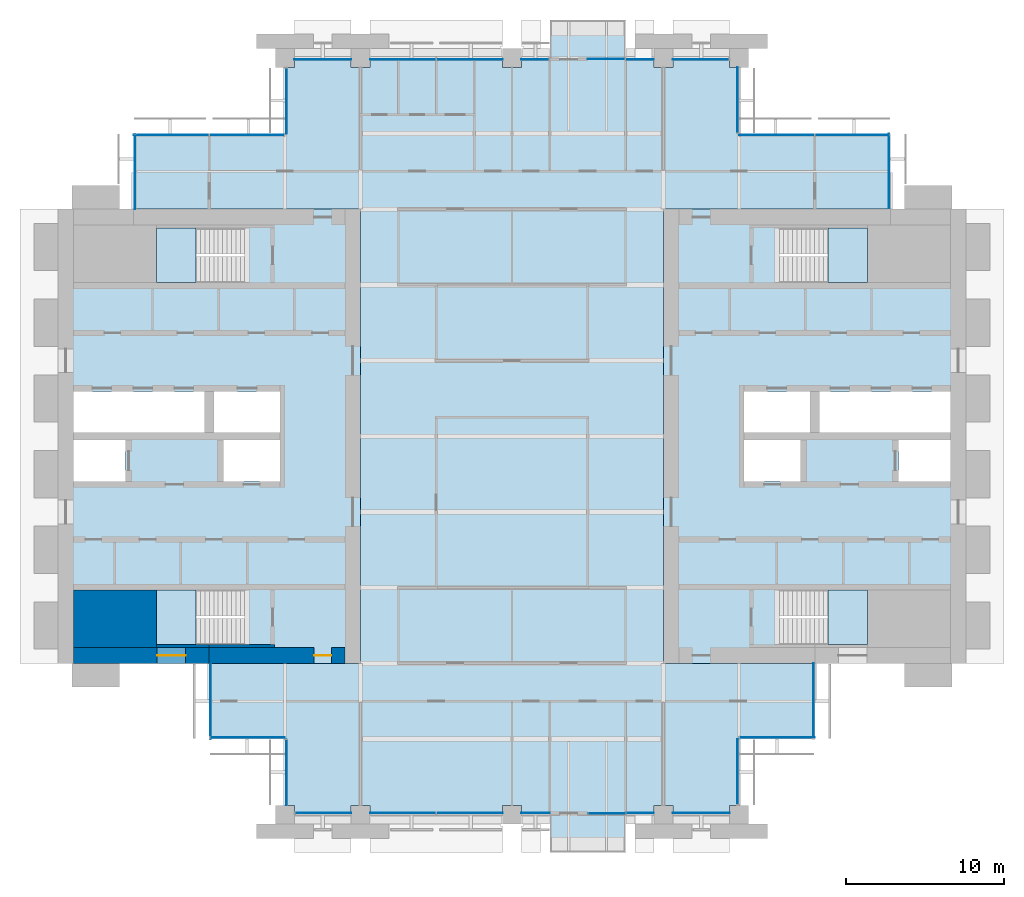
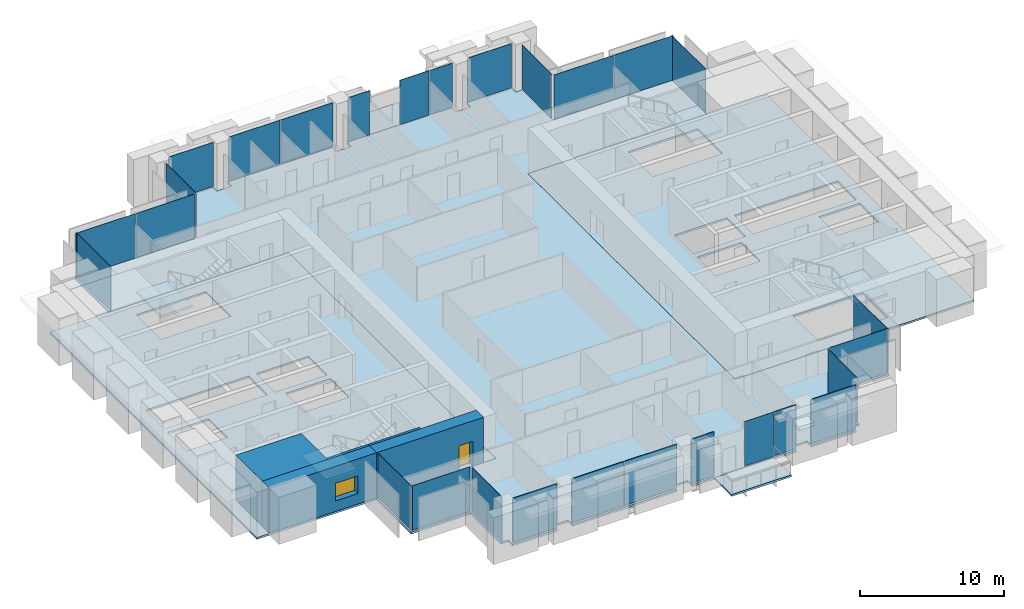
# One storey, part 8 of 15: 28 plates, 9 slabs, 5 walls, 1 door, 1 window, 2 openings, 22 elements without a shape of their own.
"""IFC4 building model written with IfcOpenShell, lengths in metres."""

from ifc_helpers import new_model, si_unit, direction, frame, frame_2d, origin, origin_2d, place, context, subcontext, project, spatial, polyline, rectangle, outline, extrude, material, layer, layer_set, type_object, element, fill, aggregate, save


model = new_model("IFC4")

# Units and contexts
model_context = context("Model", 3, precision=1e-05, world=origin(), true_north=direction((0.0, 1.0)))
body_context = subcontext(model_context, "Body", "Model", "MODEL_VIEW")
ifc_project = project(units=[si_unit("LENGTHUNIT", "METRE"), si_unit("AREAUNIT", "SQUARE_METRE"), si_unit("VOLUMEUNIT", "CUBIC_METRE"), si_unit("PLANEANGLEUNIT", "RADIAN"), si_unit("MASSUNIT", "GRAM", prefix="KILO")], contexts=[model_context])

# Site, building, storey
site_placement = place(None, origin())
site = spatial("IfcSite", under=ifc_project, at=site_placement, CompositionType="ELEMENT")
building_placement = place(site_placement, origin())
building = spatial("IfcBuilding", under=site, at=building_placement, Name="Baori Bourse Tower", CompositionType="ELEMENT")
storey_placement = place(building_placement, frame((0.0, 0.0, 140.10009765625)))
storey = spatial("IfcBuildingStorey", under=building, at=storey_placement, Name="L30", CompositionType="ELEMENT", Elevation=140.10009765625)

# Slabs
ifc_material_1 = material(Name="Concrete f'c 40 MPa", Category="concrete")
ifc_layer_1 = layer(ifc_material_1, 0.159912109375)
ifc_layer_set_1 = layer_set([ifc_layer_1], Name="BL2 Balcony slab 160")
slab_type_1 = type_object("IfcSlabType", Name="BL2 Balcony slab 160", PredefinedType="FLOOR", material=ifc_layer_set_1)
slab_1_placement = place(storey_placement, frame((0.0, 0.0, -0.16015625)))
element("IfcSlab", 1, at=slab_1_placement, inside=storey, type_object=slab_type_1, Name="Balcony slab L30 S", PredefinedType="FLOOR", context=body_context, shape_type="SweptSolid", body=[
    extrude(outline(polyline([(31.199951171875, 0.0), (31.199951171875, -2.39990234375), (36.0, -2.39990234375), (36.0, 0.0), (31.199951171875, 0.0)])), origin(), (0.0, 0.0, 1.0), 0.16015625),
])
slab_2_placement = place(storey_placement, frame((0.0, 0.0, -0.16015625)))
element("IfcSlab", 2, at=slab_2_placement, inside=storey, type_object=slab_type_1, Name="Balcony slab L30 N", PredefinedType="FLOOR", context=body_context, shape_type="SweptSolid", body=[
    extrude(outline(polyline([(31.199951171875, 48.0), (36.0, 48.0), (36.0, 50.39990234375), (31.199951171875, 50.39990234375), (31.199951171875, 48.0)])), origin(), (0.0, 0.0, 1.0), 0.16015625),
])

# Curtain wall, plates
ifc_material_2 = material(Name="Pale anodised aluminium", Category="aluminium")
curtain_wall_type_1 = type_object("IfcCurtainWallType", Name="CW1 Curtain wall", PredefinedType="NOTDEFINED", material=ifc_material_2)
curtain_wall_1_placement = place(storey_placement, origin())
curtain_wall_1 = element("IfcCurtainWall", 3, at=curtain_wall_1_placement, inside=storey, type_object=curtain_wall_type_1, Name="Curtain wall CW1 L30 4", PredefinedType="NOTDEFINED")
ifc_material_3 = material(Name="Clear glass", Category="glass")
ifc_layer_2 = layer(ifc_material_3, 0.033935546875)
ifc_layer_set_2 = layer_set([ifc_layer_2], Name="CW1 Curtain wall panel")
plate_type_1 = type_object("IfcPlateType", Name="CW1 Curtain wall panel", PredefinedType="CURTAIN_PANEL", material=ifc_layer_set_2)
plate_1_placement = place(storey_placement, frame((40.77001953125, 47.89990234375, 0.080078125), z_axis=(0.0, 0.0, 1.0), x_axis=(-1.0, 0.0, 0.0)))
plate_1 = element("IfcPlate", 4, at=plate_1_placement, type_object=plate_type_1, Name="Curtain wall CW1 panel", PredefinedType="CURTAIN_PANEL", context=body_context, shape_type="SweptSolid", body=[
    extrude(rectangle(XDim=3.5400390625, YDim=0.033935546875, at=origin_2d()), origin(), (0.0, 0.0, 1.0), 3.760009765625),
])
plate_2_placement = place(storey_placement, frame((36.89990234375, 47.89990234375, 0.080078125), z_axis=(0.0, 0.0, 1.0), x_axis=(-1.0, 0.0, 0.0)))
plate_2 = element("IfcPlate", 5, at=plate_2_placement, type_object=plate_type_1, Name="Curtain wall CW1 panel", PredefinedType="CURTAIN_PANEL", context=body_context, shape_type="SweptSolid", body=[
    extrude(rectangle(XDim=1.800048828125, YDim=0.033935546875, at=origin_2d()), origin(), (0.0, 0.0, 1.0), 3.760009765625),
])
aggregate(curtain_wall_1, [plate_1, plate_2])

curtain_wall_2_placement = place(storey_placement, origin())
curtain_wall_2 = element("IfcCurtainWall", 6, at=curtain_wall_2_placement, inside=storey, type_object=curtain_wall_type_1, Name="Curtain wall CW1 L30 6", PredefinedType="NOTDEFINED")
plate_3_placement = place(storey_placement, frame((30.27001953125, 47.89990234375, 0.080078125), z_axis=(0.0, 0.0, 1.0), x_axis=(-1.0, 0.0, 0.0)))
plate_3 = element("IfcPlate", 7, at=plate_3_placement, type_object=plate_type_1, Name="Curtain wall CW1 panel", PredefinedType="CURTAIN_PANEL", context=body_context, shape_type="SweptSolid", body=[
    extrude(rectangle(XDim=1.739990234375, YDim=0.033935546875, at=origin_2d()), origin(), (0.0, 0.0, 1.0), 3.760009765625),
])
plate_4_placement = place(storey_placement, frame((26.114990234375, 47.89990234375, 0.080078125), z_axis=(0.0, 0.0, 1.0), x_axis=(-1.0, 0.0, 0.0)))
plate_4 = element("IfcPlate", 8, at=plate_4_placement, type_object=plate_type_1, Name="Curtain wall CW1 panel", PredefinedType="CURTAIN_PANEL", context=body_context, shape_type="SweptSolid", body=[
    extrude(rectangle(XDim=4.169921875, YDim=0.033935546875, at=origin_2d()), origin(), (0.0, 0.0, 1.0), 3.760009765625),
])
plate_5_placement = place(storey_placement, frame((21.885009765625, 47.89990234375, 0.080078125), z_axis=(0.0, 0.0, 1.0), x_axis=(-1.0, 0.0, 0.0)))
plate_5 = element("IfcPlate", 9, at=plate_5_placement, type_object=plate_type_1, Name="Curtain wall CW1 panel", PredefinedType="CURTAIN_PANEL", context=body_context, shape_type="SweptSolid", body=[
    extrude(rectangle(XDim=4.169921875, YDim=0.033935546875, at=origin_2d()), origin(), (0.0, 0.0, 1.0), 3.760009765625),
])
plate_6_placement = place(storey_placement, frame((16.800048828125, 47.89990234375, 0.080078125), z_axis=(0.0, 0.0, 1.0), x_axis=(-1.0, 0.0, 0.0)))
plate_6 = element("IfcPlate", 10, at=plate_6_placement, type_object=plate_type_1, Name="Curtain wall CW1 panel", PredefinedType="CURTAIN_PANEL", context=body_context, shape_type="SweptSolid", body=[
    extrude(rectangle(XDim=3.60009765625, YDim=0.033935546875, at=origin_2d()), origin(), (0.0, 0.0, 1.0), 3.760009765625),
])
aggregate(curtain_wall_2, [plate_3, plate_4, plate_5, plate_6])

curtain_wall_3_placement = place(storey_placement, origin())
curtain_wall_3 = element("IfcCurtainWall", 11, at=curtain_wall_3_placement, inside=storey, type_object=curtain_wall_type_1, Name="Curtain wall CW1 L30 13", PredefinedType="NOTDEFINED")
plate_7_placement = place(storey_placement, frame((16.830078125, 0.10009765625, 0.080078125), z_axis=(0.0, 0.0, 1.0), x_axis=(1.0, 0.0, 0.0)))
plate_7 = element("IfcPlate", 12, at=plate_7_placement, type_object=plate_type_1, Name="Curtain wall CW1 panel", PredefinedType="CURTAIN_PANEL", context=body_context, shape_type="SweptSolid", body=[
    extrude(rectangle(XDim=3.5400390625, YDim=0.033935546875, at=origin_2d()), origin(), (0.0, 0.0, 1.0), 3.760009765625),
])
plate_8_placement = place(storey_placement, frame((21.885009765625, 0.10009765625, 0.080078125), z_axis=(0.0, 0.0, 1.0), x_axis=(1.0, 0.0, 0.0)))
plate_8 = element("IfcPlate", 13, at=plate_8_placement, type_object=plate_type_1, Name="Curtain wall CW1 panel", PredefinedType="CURTAIN_PANEL", context=body_context, shape_type="SweptSolid", body=[
    extrude(rectangle(XDim=4.169921875, YDim=0.033935546875, at=origin_2d()), origin(), (0.0, 0.0, 1.0), 3.760009765625),
])
plate_9_placement = place(storey_placement, frame((26.114990234375, 0.10009765625, 0.080078125), z_axis=(0.0, 0.0, 1.0), x_axis=(1.0, 0.0, 0.0)))
plate_9 = element("IfcPlate", 14, at=plate_9_placement, type_object=plate_type_1, Name="Curtain wall CW1 panel", PredefinedType="CURTAIN_PANEL", context=body_context, shape_type="SweptSolid", body=[
    extrude(rectangle(XDim=4.169921875, YDim=0.033935546875, at=origin_2d()), origin(), (0.0, 0.0, 1.0), 3.760009765625),
])
plate_10_placement = place(storey_placement, frame((30.300048828125, 0.10009765625, 0.080078125), z_axis=(0.0, 0.0, 1.0), x_axis=(1.0, 0.0, 0.0)))
plate_10 = element("IfcPlate", 15, at=plate_10_placement, type_object=plate_type_1, Name="Curtain wall CW1 panel", PredefinedType="CURTAIN_PANEL", context=body_context, shape_type="SweptSolid", body=[
    extrude(rectangle(XDim=1.800048828125, YDim=0.033935546875, at=origin_2d()), origin(), (0.0, 0.0, 1.0), 3.760009765625),
])
aggregate(curtain_wall_3, [plate_7, plate_8, plate_9, plate_10])

curtain_wall_4_placement = place(storey_placement, origin())
curtain_wall_4 = element("IfcCurtainWall", 16, at=curtain_wall_4_placement, inside=storey, type_object=curtain_wall_type_1, Name="Curtain wall CW1 L30 15", PredefinedType="NOTDEFINED")
plate_11_placement = place(storey_placement, frame((36.929931640625, 0.10009765625, 0.080078125), z_axis=(0.0, 0.0, 1.0), x_axis=(1.0, 0.0, 0.0)))
plate_11 = element("IfcPlate", 17, at=plate_11_placement, type_object=plate_type_1, Name="Curtain wall CW1 panel", PredefinedType="CURTAIN_PANEL", context=body_context, shape_type="SweptSolid", body=[
    extrude(rectangle(XDim=1.739990234375, YDim=0.033935546875, at=origin_2d()), origin(), (0.0, 0.0, 1.0), 3.760009765625),
])
plate_12_placement = place(storey_placement, frame((40.800048828125, 0.10009765625, 0.080078125), z_axis=(0.0, 0.0, 1.0), x_axis=(1.0, 0.0, 0.0)))
plate_12 = element("IfcPlate", 18, at=plate_12_placement, type_object=plate_type_1, Name="Curtain wall CW1 panel", PredefinedType="CURTAIN_PANEL", context=body_context, shape_type="SweptSolid", body=[
    extrude(rectangle(XDim=3.60009765625, YDim=0.033935546875, at=origin_2d()), origin(), (0.0, 0.0, 1.0), 3.760009765625),
])
aggregate(curtain_wall_4, [plate_11, plate_12])

# Curtain wall, plate
ifc_material_4 = material(Name="Pale anodised aluminium", Category="aluminium")
curtain_wall_type_2 = type_object("IfcCurtainWallType", Name="CW2 Curtain wall", PredefinedType="NOTDEFINED", material=ifc_material_4)
curtain_wall_5_placement = place(storey_placement, origin())
curtain_wall_5 = element("IfcCurtainWall", 19, at=curtain_wall_5_placement, inside=storey, type_object=curtain_wall_type_2, Name="Curtain wall CW2 L30 1", PredefinedType="NOTDEFINED")
ifc_material_5 = material(Name="Clear glass", Category="glass")
ifc_layer_3 = layer(ifc_material_5, 0.030029296875)
ifc_layer_set_3 = layer_set([ifc_layer_3], Name="CW2 Curtain wall panel")
plate_type_2 = type_object("IfcPlateType", Name="CW2 Curtain wall panel", PredefinedType="CURTAIN_PANEL", material=ifc_layer_set_3)
plate_13_placement = place(storey_placement, frame((52.7099609375, 40.827392578125, 0.06982421875), z_axis=(0.0, 0.0, 1.0), x_axis=(0.0, 1.0, 0.0)))
plate_13 = element("IfcPlate", 20, at=plate_13_placement, type_object=plate_type_2, Name="Curtain wall CW2 panel", PredefinedType="CURTAIN_PANEL", context=body_context, shape_type="SweptSolid", body=[
    extrude(rectangle(XDim=4.7451171875, YDim=0.030029296875, at=origin_2d()), origin(), (0.0, 0.0, 1.0), 3.77001953125),
])
aggregate(curtain_wall_5, [plate_13])

# Curtain wall, plates
curtain_wall_6_placement = place(storey_placement, origin())
curtain_wall_6 = element("IfcCurtainWall", 21, at=curtain_wall_6_placement, inside=storey, type_object=curtain_wall_type_2, Name="Curtain wall CW2 L30 2", PredefinedType="NOTDEFINED")
plate_14_placement = place(storey_placement, frame((50.38623046875, 43.110107421875, 0.06982421875), z_axis=(0.0, 0.0, 1.0), x_axis=(-1.0, 0.0, 0.0)))
plate_14 = element("IfcPlate", 22, at=plate_14_placement, type_object=plate_type_2, Name="Curtain wall CW2 panel", PredefinedType="CURTAIN_PANEL", context=body_context, shape_type="SweptSolid", body=[
    extrude(rectangle(XDim=4.717529296875, YDim=0.030029296875, at=origin_2d()), origin(), (0.0, 0.0, 1.0), 3.77001953125),
])
plate_15_placement = place(storey_placement, frame((45.586181640625, 43.110107421875, 0.06982421875), z_axis=(0.0, 0.0, 1.0), x_axis=(-1.0, 0.0, 0.0)))
plate_15 = element("IfcPlate", 23, at=plate_15_placement, type_object=plate_type_2, Name="Curtain wall CW2 panel", PredefinedType="CURTAIN_PANEL", context=body_context, shape_type="SweptSolid", body=[
    extrude(rectangle(XDim=4.7724609375, YDim=0.030029296875, at=origin_2d()), origin(), (0.0, 0.0, 1.0), 3.77001953125),
])
aggregate(curtain_wall_6, [plate_14, plate_15])

# Curtain wall, plate
curtain_wall_7_placement = place(storey_placement, origin())
curtain_wall_7 = element("IfcCurtainWall", 24, at=curtain_wall_7_placement, inside=storey, type_object=curtain_wall_type_2, Name="Curtain wall CW2 L30 3", PredefinedType="NOTDEFINED")
plate_16_placement = place(storey_placement, frame((43.110107421875, 45.327392578125, 0.06982421875), z_axis=(0.0, 0.0, 1.0), x_axis=(0.0, 1.0, 0.0)))
plate_16 = element("IfcPlate", 25, at=plate_16_placement, type_object=plate_type_2, Name="Curtain wall CW2 panel", PredefinedType="CURTAIN_PANEL", context=body_context, shape_type="SweptSolid", body=[
    extrude(rectangle(XDim=4.14501953125, YDim=0.030029296875, at=origin_2d()), origin(), (0.0, 0.0, 1.0), 3.77001953125),
])
aggregate(curtain_wall_7, [plate_16])

curtain_wall_8_placement = place(storey_placement, origin())
curtain_wall_8 = element("IfcCurtainWall", 26, at=curtain_wall_8_placement, inside=storey, type_object=curtain_wall_type_2, Name="Curtain wall CW2 L30 7", PredefinedType="NOTDEFINED")
plate_17_placement = place(storey_placement, frame((14.489990234375, 45.2724609375, 0.06982421875), z_axis=(0.0, 0.0, 1.0), x_axis=(0.0, -1.0, 0.0)))
plate_17 = element("IfcPlate", 27, at=plate_17_placement, type_object=plate_type_2, Name="Curtain wall CW2 panel", PredefinedType="CURTAIN_PANEL", context=body_context, shape_type="SweptSolid", body=[
    extrude(rectangle(XDim=4.14501953125, YDim=0.030029296875, at=origin_2d()), origin(), (0.0, 0.0, 1.0), 3.77001953125),
])
aggregate(curtain_wall_8, [plate_17])

# Curtain wall, plates
curtain_wall_9_placement = place(storey_placement, origin())
curtain_wall_9 = element("IfcCurtainWall", 28, at=curtain_wall_9_placement, inside=storey, type_object=curtain_wall_type_2, Name="Curtain wall CW2 L30 8", PredefinedType="NOTDEFINED")
plate_18_placement = place(storey_placement, frame((11.986328125, 43.110107421875, 0.06982421875), z_axis=(0.0, 0.0, 1.0), x_axis=(-1.0, 0.0, 0.0)))
plate_18 = element("IfcPlate", 29, at=plate_18_placement, type_object=plate_type_2, Name="Curtain wall CW2 panel", PredefinedType="CURTAIN_PANEL", context=body_context, shape_type="SweptSolid", body=[
    extrude(rectangle(XDim=4.717529296875, YDim=0.030029296875, at=origin_2d()), origin(), (0.0, 0.0, 1.0), 3.77001953125),
])
plate_19_placement = place(storey_placement, frame((7.186279296875, 43.110107421875, 0.06982421875), z_axis=(0.0, 0.0, 1.0), x_axis=(-1.0, 0.0, 0.0)))
plate_19 = element("IfcPlate", 30, at=plate_19_placement, type_object=plate_type_2, Name="Curtain wall CW2 panel", PredefinedType="CURTAIN_PANEL", context=body_context, shape_type="SweptSolid", body=[
    extrude(rectangle(XDim=4.7724609375, YDim=0.030029296875, at=origin_2d()), origin(), (0.0, 0.0, 1.0), 3.77001953125),
])
aggregate(curtain_wall_9, [plate_18, plate_19])

# Curtain wall, plate
curtain_wall_10_placement = place(storey_placement, origin())
curtain_wall_10 = element("IfcCurtainWall", 31, at=curtain_wall_10_placement, inside=storey, type_object=curtain_wall_type_2, Name="Curtain wall CW2 L30 9", PredefinedType="NOTDEFINED")
plate_20_placement = place(storey_placement, frame((4.889892578125, 40.7724609375, 0.06982421875), z_axis=(0.0, 0.0, 1.0), x_axis=(0.0, -1.0, 0.0)))
plate_20 = element("IfcPlate", 32, at=plate_20_placement, type_object=plate_type_2, Name="Curtain wall CW2 panel", PredefinedType="CURTAIN_PANEL", context=body_context, shape_type="SweptSolid", body=[
    extrude(rectangle(XDim=4.7451171875, YDim=0.030029296875, at=origin_2d()), origin(), (0.0, 0.0, 1.0), 3.77001953125),
])
aggregate(curtain_wall_10, [plate_20])

curtain_wall_11_placement = place(storey_placement, origin())
curtain_wall_11 = element("IfcCurtainWall", 33, at=curtain_wall_11_placement, inside=storey, type_object=curtain_wall_type_2, Name="Curtain wall CW2 L30 10", PredefinedType="NOTDEFINED")
plate_21_placement = place(storey_placement, frame((9.68994140625, 7.172607421875, 0.06982421875), z_axis=(0.0, 0.0, 1.0), x_axis=(0.0, -1.0, 0.0)))
plate_21 = element("IfcPlate", 34, at=plate_21_placement, type_object=plate_type_2, Name="Curtain wall CW2 panel", PredefinedType="CURTAIN_PANEL", context=body_context, shape_type="SweptSolid", body=[
    extrude(rectangle(XDim=4.7451171875, YDim=0.030029296875, at=origin_2d()), origin(), (0.0, 0.0, 1.0), 3.77001953125),
])
aggregate(curtain_wall_11, [plate_21])

curtain_wall_12_placement = place(storey_placement, origin())
curtain_wall_12 = element("IfcCurtainWall", 35, at=curtain_wall_12_placement, inside=storey, type_object=curtain_wall_type_2, Name="Curtain wall CW2 L30 11", PredefinedType="NOTDEFINED")
plate_22_placement = place(storey_placement, frame((12.027587890625, 4.889892578125, 0.06982421875), z_axis=(0.0, 0.0, 1.0), x_axis=(1.0, 0.0, 0.0)))
plate_22 = element("IfcPlate", 36, at=plate_22_placement, type_object=plate_type_2, Name="Curtain wall CW2 panel", PredefinedType="CURTAIN_PANEL", context=body_context, shape_type="SweptSolid", body=[
    extrude(rectangle(XDim=4.7451171875, YDim=0.030029296875, at=origin_2d()), origin(), (0.0, 0.0, 1.0), 3.77001953125),
])
aggregate(curtain_wall_12, [plate_22])

curtain_wall_13_placement = place(storey_placement, origin())
curtain_wall_13 = element("IfcCurtainWall", 37, at=curtain_wall_13_placement, inside=storey, type_object=curtain_wall_type_2, Name="Curtain wall CW2 L30 12", PredefinedType="NOTDEFINED")
plate_23_placement = place(storey_placement, frame((14.489990234375, 2.672607421875, 0.06982421875), z_axis=(0.0, 0.0, 1.0), x_axis=(0.0, -1.0, 0.0)))
plate_23 = element("IfcPlate", 38, at=plate_23_placement, type_object=plate_type_2, Name="Curtain wall CW2 panel", PredefinedType="CURTAIN_PANEL", context=body_context, shape_type="SweptSolid", body=[
    extrude(rectangle(XDim=4.14501953125, YDim=0.030029296875, at=origin_2d()), origin(), (0.0, 0.0, 1.0), 3.77001953125),
])
aggregate(curtain_wall_13, [plate_23])

curtain_wall_14_placement = place(storey_placement, origin())
curtain_wall_14 = element("IfcCurtainWall", 39, at=curtain_wall_14_placement, inside=storey, type_object=curtain_wall_type_2, Name="Curtain wall CW2 L30 16", PredefinedType="NOTDEFINED")
plate_24_placement = place(storey_placement, frame((43.110107421875, 2.7275390625, 0.06982421875), z_axis=(0.0, 0.0, 1.0), x_axis=(0.0, 1.0, 0.0)))
plate_24 = element("IfcPlate", 40, at=plate_24_placement, type_object=plate_type_2, Name="Curtain wall CW2 panel", PredefinedType="CURTAIN_PANEL", context=body_context, shape_type="SweptSolid", body=[
    extrude(rectangle(XDim=4.14501953125, YDim=0.030029296875, at=origin_2d()), origin(), (0.0, 0.0, 1.0), 3.77001953125),
])
aggregate(curtain_wall_14, [plate_24])

curtain_wall_15_placement = place(storey_placement, origin())
curtain_wall_15 = element("IfcCurtainWall", 41, at=curtain_wall_15_placement, inside=storey, type_object=curtain_wall_type_2, Name="Curtain wall CW2 L30 17", PredefinedType="NOTDEFINED")
plate_25_placement = place(storey_placement, frame((45.62744140625, 4.889892578125, 0.06982421875), z_axis=(0.0, 0.0, 1.0), x_axis=(1.0, 0.0, 0.0)))
plate_25 = element("IfcPlate", 42, at=plate_25_placement, type_object=plate_type_2, Name="Curtain wall CW2 panel", PredefinedType="CURTAIN_PANEL", context=body_context, shape_type="SweptSolid", body=[
    extrude(rectangle(XDim=4.7451171875, YDim=0.030029296875, at=origin_2d()), origin(), (0.0, 0.0, 1.0), 3.77001953125),
])
aggregate(curtain_wall_15, [plate_25])

curtain_wall_16_placement = place(storey_placement, origin())
curtain_wall_16 = element("IfcCurtainWall", 43, at=curtain_wall_16_placement, inside=storey, type_object=curtain_wall_type_2, Name="Curtain wall CW2 L30 18", PredefinedType="NOTDEFINED")
plate_26_placement = place(storey_placement, frame((47.909912109375, 7.2275390625, 0.06982421875), z_axis=(0.0, 0.0, 1.0), x_axis=(0.0, 1.0, 0.0)))
plate_26 = element("IfcPlate", 44, at=plate_26_placement, type_object=plate_type_2, Name="Curtain wall CW2 panel", PredefinedType="CURTAIN_PANEL", context=body_context, shape_type="SweptSolid", body=[
    extrude(rectangle(XDim=4.7451171875, YDim=0.030029296875, at=origin_2d()), origin(), (0.0, 0.0, 1.0), 3.77001953125),
])
aggregate(curtain_wall_16, [plate_26])

ifc_material_6 = material(Name="Pale anodised aluminium", Category="aluminium")
curtain_wall_type_3 = type_object("IfcCurtainWallType", Name="CW6 Curtain wall", PredefinedType="NOTDEFINED", material=ifc_material_6)
curtain_wall_17_placement = place(storey_placement, origin())
curtain_wall_17 = element("IfcCurtainWall", 45, at=curtain_wall_17_placement, inside=storey, type_object=curtain_wall_type_3, Name="Curtain wall CW6 L30 5", PredefinedType="NOTDEFINED")
ifc_material_7 = material(Name="Clear glass", Category="glass")
ifc_layer_4 = layer(ifc_material_7, 0.028076171875)
ifc_layer_set_4 = layer_set([ifc_layer_4], Name="CW6 Curtain wall panel")
plate_type_3 = type_object("IfcPlateType", Name="CW6 Curtain wall panel", PredefinedType="CURTAIN_PANEL", material=ifc_layer_set_4)
plate_27_placement = place(storey_placement, frame((34.77490234375, 47.925048828125, 0.06494140625), z_axis=(0.0, 0.0, 1.0), x_axis=(-1.0, 0.0, 0.0)))
plate_27 = element("IfcPlate", 46, at=plate_27_placement, type_object=plate_type_3, Name="Curtain wall CW6 panel", PredefinedType="CURTAIN_PANEL", context=body_context, shape_type="SweptSolid", body=[
    extrude(rectangle(XDim=2.35009765625, YDim=0.028076171875, at=origin_2d()), origin(), (0.0, 0.0, 1.0), 3.77490234375),
])
aggregate(curtain_wall_17, [plate_27])

curtain_wall_18_placement = place(storey_placement, origin())
curtain_wall_18 = element("IfcCurtainWall", 47, at=curtain_wall_18_placement, inside=storey, type_object=curtain_wall_type_3, Name="Curtain wall CW6 L30 14", PredefinedType="NOTDEFINED")
plate_28_placement = place(storey_placement, frame((34.824951171875, 0.074951171875, 0.06494140625), z_axis=(0.0, 0.0, 1.0), x_axis=(1.0, 0.0, 0.0)))
plate_28 = element("IfcPlate", 48, at=plate_28_placement, type_object=plate_type_3, Name="Curtain wall CW6 panel", PredefinedType="CURTAIN_PANEL", context=body_context, shape_type="SweptSolid", body=[
    extrude(rectangle(XDim=2.35009765625, YDim=0.028076171875, at=origin_2d()), origin(), (0.0, 0.0, 1.0), 3.77490234375),
])
aggregate(curtain_wall_18, [plate_28])

# Slabs
ifc_material_8 = material(Name="Concrete f'c 50 MPa", Category="concrete")
ifc_layer_5 = layer(ifc_material_8, 0.159912109375)
ifc_layer_set_5 = layer_set([ifc_layer_5], Name="Core slab 160")
slab_type_2 = type_object("IfcSlabType", Name="Core slab 160", PredefinedType="FLOOR", material=ifc_layer_set_5)
slab_3_placement = place(storey_placement, frame((0.0, 0.0, -0.16015625)))
element("IfcSlab", 49, at=slab_3_placement, inside=storey, type_object=slab_type_2, Name="Core floor slab W01", PredefinedType="FLOOR", context=body_context, shape_type="SweptSolid", body=[
    extrude(outline(polyline([(0.0, 38.39990234375), (0.0, 9.60009765625), (19.199951171875, 9.60009765625), (19.199951171875, 38.39990234375), (0.0, 38.39990234375)]), holes=[polyline([(10.5, 21.14990234375), (10.5, 23.75), (14.10009765625, 23.75), (14.10009765625, 21.14990234375), (10.5, 21.14990234375)]), polyline([(14.10009765625, 24.25), (9.89990234375, 24.25), (9.89990234375, 26.85009765625), (14.10009765625, 26.85009765625), (14.10009765625, 24.25)]), polyline([(6.25, 14.25), (11.84912109375, 14.25), (11.84912109375, 10.800048828125), (6.25, 10.800048828125), (6.25, 14.25)]), polyline([(11.84912109375, 37.199951171875), (11.84912109375, 33.75), (6.25, 33.75), (6.25, 37.199951171875), (11.84912109375, 37.199951171875)]), polyline([(1.0, 26.85009765625), (9.300048828125, 26.85009765625), (9.300048828125, 24.25), (1.0, 24.25), (1.0, 26.85009765625)]), polyline([(4.300048828125, 23.75), (4.300048828125, 21.14990234375), (1.0, 21.14990234375), (1.0, 23.75), (4.300048828125, 23.75)])]), origin(), (0.0, 0.0, 1.0), 0.16015625),
])
slab_4_placement = place(storey_placement, frame((0.0, 0.0, -0.16015625)))
element("IfcSlab", 50, at=slab_4_placement, inside=storey, type_object=slab_type_2, Name="Core floor slab E01", PredefinedType="FLOOR", context=body_context, shape_type="SweptSolid", body=[
    extrude(outline(polyline([(57.60009765625, 38.39990234375), (38.39990234375, 38.39990234375), (38.39990234375, 9.60009765625), (57.60009765625, 9.60009765625), (57.60009765625, 38.39990234375)]), holes=[polyline([(56.60009765625, 21.14990234375), (53.300048828125, 21.14990234375), (53.300048828125, 23.75), (56.60009765625, 23.75), (56.60009765625, 21.14990234375)]), polyline([(56.60009765625, 26.85009765625), (56.60009765625, 24.25), (48.300048828125, 24.25), (48.300048828125, 26.85009765625), (56.60009765625, 26.85009765625)]), polyline([(45.750732421875, 14.25), (51.35009765625, 14.25), (51.35009765625, 10.800048828125), (45.750732421875, 10.800048828125), (45.750732421875, 14.25)]), polyline([(51.35009765625, 37.199951171875), (51.35009765625, 33.75), (45.750732421875, 33.75), (45.750732421875, 37.199951171875), (51.35009765625, 37.199951171875)]), polyline([(43.5, 24.25), (43.5, 26.85009765625), (47.699951171875, 26.85009765625), (47.699951171875, 24.25), (43.5, 24.25)]), polyline([(43.5, 23.75), (47.10009765625, 23.75), (47.10009765625, 21.14990234375), (43.5, 21.14990234375), (43.5, 23.75)])]), origin(), (0.0, 0.0, 1.0), 0.16015625),
])

# Stair, slab
ifc_material_9 = material(Name="Concrete f'c 50 MPa", Category="concrete")
stair_type = type_object("IfcStairType", Name="Core stair", PredefinedType="HALF_TURN_STAIR", material=ifc_material_9)
stair_1_placement = place(storey_placement, origin())
stair_1 = element("IfcStair", 51, at=stair_1_placement, inside=storey, type_object=stair_type, Name="L30 Stair WA", PredefinedType="HALF_TURN_STAIR")
ifc_material_10 = material(Name="Concrete f'c 50 MPa", Category="concrete")
slab_type_3 = type_object("IfcSlabType", Name="Core stair landing", PredefinedType="LANDING", material=ifc_material_10)
slab_5_placement = place(storey_placement, frame((0.0, 0.0, 1.7998046875)))
slab_5 = element("IfcSlab", 52, at=slab_5_placement, type_object=slab_type_3, Name="ST1 landing 1", PredefinedType="LANDING", context=body_context, shape_type="SweptSolid", body=[
    extrude(outline(polyline([(8.77001953125, 14.25), (6.25, 14.25), (6.25, 10.800048828125), (8.77001953125, 10.800048828125), (8.77001953125, 14.25)])), origin(), (0.0, 0.0, 1.0), 0.2001953125),
])
aggregate(stair_1, [slab_5])

stair_2_placement = place(storey_placement, origin())
stair_2 = element("IfcStair", 53, at=stair_2_placement, inside=storey, type_object=stair_type, Name="L30 Stair WB", PredefinedType="HALF_TURN_STAIR")
slab_6_placement = place(storey_placement, frame((0.0, 0.0, 1.7998046875)))
slab_6 = element("IfcSlab", 54, at=slab_6_placement, type_object=slab_type_3, Name="ST2 landing 1", PredefinedType="LANDING", context=body_context, shape_type="SweptSolid", body=[
    extrude(outline(polyline([(8.77001953125, 37.199951171875), (6.25, 37.199951171875), (6.25, 33.75), (8.77001953125, 33.75), (8.77001953125, 37.199951171875)])), origin(), (0.0, 0.0, 1.0), 0.2001953125),
])
aggregate(stair_2, [slab_6])

stair_3_placement = place(storey_placement, origin())
stair_3 = element("IfcStair", 55, at=stair_3_placement, inside=storey, type_object=stair_type, Name="L30 Stair EA", PredefinedType="HALF_TURN_STAIR")
slab_7_placement = place(storey_placement, frame((0.0, 0.0, 1.7998046875)))
slab_7 = element("IfcSlab", 56, at=slab_7_placement, type_object=slab_type_3, Name="ST3 landing 1", PredefinedType="LANDING", context=body_context, shape_type="SweptSolid", body=[
    extrude(outline(polyline([(48.830078125, 10.800048828125), (51.35009765625, 10.800048828125), (51.35009765625, 14.25), (48.830078125, 14.25), (48.830078125, 10.800048828125)])), origin(), (0.0, 0.0, 1.0), 0.2001953125),
])
aggregate(stair_3, [slab_7])

stair_4_placement = place(storey_placement, origin())
stair_4 = element("IfcStair", 57, at=stair_4_placement, inside=storey, type_object=stair_type, Name="L30 Stair EB", PredefinedType="HALF_TURN_STAIR")
slab_8_placement = place(storey_placement, frame((0.0, 0.0, 1.7998046875)))
slab_8 = element("IfcSlab", 58, at=slab_8_placement, type_object=slab_type_3, Name="ST4 landing 1", PredefinedType="LANDING", context=body_context, shape_type="SweptSolid", body=[
    extrude(outline(polyline([(48.830078125, 33.75), (51.35009765625, 33.75), (51.35009765625, 37.199951171875), (48.830078125, 37.199951171875), (48.830078125, 33.75)])), origin(), (0.0, 0.0, 1.0), 0.2001953125),
])
aggregate(stair_4, [slab_8])

# Slab
ifc_material_11 = material(Name="Concrete f'c 40 MPa", Category="concrete")
ifc_layer_6 = layer(ifc_material_11, 0.159912109375)
ifc_layer_set_6 = layer_set([ifc_layer_6], Name="Floor slab 160")
slab_type_4 = type_object("IfcSlabType", Name="Floor slab 160", PredefinedType="FLOOR", material=ifc_layer_set_6)
slab_9_placement = place(storey_placement, frame((0.0, 0.0, -0.16015625)))
element("IfcSlab", 59, at=slab_9_placement, inside=storey, type_object=slab_type_4, Name="Floor slab L30", PredefinedType="FLOOR", context=body_context, shape_type="SweptSolid", body=[
    extrude(outline(polyline([(14.39990234375, 4.800048828125), (9.60009765625, 4.800048828125), (9.60009765625, 9.60009765625), (19.199951171875, 9.60009765625), (19.199951171875, 38.39990234375), (4.800048828125, 38.39990234375), (4.800048828125, 43.199951171875), (14.39990234375, 43.199951171875), (14.39990234375, 47.39990234375), (15.0, 47.39990234375), (15.0, 48.0), (18.60009765625, 48.0), (18.60009765625, 47.39990234375), (19.800048828125, 47.39990234375), (19.800048828125, 48.0), (28.199951171875, 48.0), (28.199951171875, 47.39990234375), (29.39990234375, 47.39990234375), (29.39990234375, 48.0), (37.800048828125, 48.0), (37.800048828125, 47.39990234375), (39.0, 47.39990234375), (39.0, 48.0), (42.60009765625, 48.0), (42.60009765625, 47.39990234375), (43.199951171875, 47.39990234375), (43.199951171875, 43.199951171875), (52.800048828125, 43.199951171875), (52.800048828125, 38.39990234375), (38.39990234375, 38.39990234375), (38.39990234375, 9.60009765625), (48.0, 9.60009765625), (48.0, 4.800048828125), (43.199951171875, 4.800048828125), (43.199951171875, 0.60009765625), (42.60009765625, 0.60009765625), (42.60009765625, 0.0), (39.0, 0.0), (39.0, 0.60009765625), (37.800048828125, 0.60009765625), (37.800048828125, 0.0), (29.39990234375, 0.0), (29.39990234375, 0.60009765625), (28.199951171875, 0.60009765625), (28.199951171875, 0.0), (19.800048828125, 0.0), (19.800048828125, 0.60009765625), (18.60009765625, 0.60009765625), (18.60009765625, 0.0), (15.0, 0.0), (15.0, 0.60009765625), (14.39990234375, 0.60009765625), (14.39990234375, 4.800048828125)])), origin(), (0.0, 0.0, 1.0), 0.16015625),
])

# Wall
ifc_material_12 = material(Name="Concrete f'c 60 MPa", Category="concrete")
wall_type_1 = type_object("IfcWallType", Name="Core corner block f'c 60", PredefinedType="SHEAR", material=ifc_material_12)
wall_1_placement = place(storey_placement, frame((1.0, 12.425048828125, 0.0), z_axis=(0.0, 0.0, 1.0), x_axis=(1.0, 0.0, 0.0)))
element("IfcWall", 60, at=wall_1_placement, inside=storey, type_object=wall_type_1, Name="Core wall W05", PredefinedType="SHEAR", context=body_context, shape_type="SweptSolid", body=[
    extrude(rectangle(XDim=5.25, YDim=3.64990234375, at=frame_2d((2.625, 0.0))), origin(), (0.0, 0.0, 1.0), 3.83984375),
])

# Wall, opening, window
ifc_material_13 = material(Name="Concrete f'c 60 MPa", Category="concrete")
ifc_layer_7 = layer(ifc_material_13, 1.0)
ifc_layer_set_7 = layer_set([ifc_layer_7], Name="Core wall 1000 f'c 60")
wall_type_2 = type_object("IfcWallType", Name="Core wall 1000 f'c 60", PredefinedType="SHEAR", material=ifc_layer_set_7)
wall_2_placement = place(storey_placement, frame((9.60009765625, 10.10009765625, 0.0), z_axis=(0.0, 0.0, 1.0), x_axis=(-1.0, 0.0, 0.0)))
wall_2 = element("IfcWall", 61, at=wall_2_placement, inside=storey, type_object=wall_type_2, Name="Core wall W02", PredefinedType="SHEAR", context=body_context, shape_type="SweptSolid", body=[
    extrude(rectangle(XDim=8.60009765625, YDim=1.0, at=frame_2d((4.300048828125, 0.0))), origin(), (0.0, 0.0, 1.0), 3.83984375),
])
opening_1_placement = place(wall_2_placement, frame((1.5, 0.0, 0.89990234375)))
opening_1 = element("IfcOpeningElement", 62, at=opening_1_placement, cuts=wall_2, Name="Opening L30-KW103", PredefinedType="OPENING", context=body_context, shape_type="SweptSolid", body=[
    extrude(rectangle(XDim=1.800048828125, YDim=1.5, at=frame_2d((0.89990234375, 0.75))), frame((0.0, 0.510009765625, 0.0), z_axis=(0.0, -1.0, 0.0), x_axis=(1.0, 0.0, 0.0)), (0.0, 0.0, 1.0), 1.02001953125),
])
ifc_material_14 = material(Name="Pale anodised aluminium", Category="aluminium")
window_type = type_object("IfcWindowType", Name="Stair window 1800 x 1500", PartitioningType="SINGLE_PANEL", PredefinedType="WINDOW", material=ifc_material_14)
window_placement = place(opening_1_placement, origin())
window = element("IfcWindow", 63, at=window_placement, inside=storey, type_object=window_type, Name="Stair window W L30 3", OverallHeight=1.5, OverallWidth=1.800048828125, PartitioningType="SINGLE_PANEL", PredefinedType="WINDOW", context=body_context, shape_type="SweptSolid", body=[
    extrude(rectangle(XDim=1.800048828125, YDim=1.5, at=frame_2d((0.89990234375, 0.75))), frame((0.0, 0.030029296875, 0.0), z_axis=(0.0, -1.0, 0.0), x_axis=(1.0, 0.0, 0.0)), (0.0, 0.0, 1.0), 0.06005859375),
])
fill(opening_1, window)

# Wall, opening, door
wall_3_placement = place(storey_placement, frame((18.199951171875, 10.10009765625, 0.0), z_axis=(0.0, 0.0, 1.0), x_axis=(-1.0, 0.0, 0.0)))
wall_3 = element("IfcWall", 64, at=wall_3_placement, inside=storey, type_object=wall_type_2, Name="Core wall W03", PredefinedType="SHEAR", context=body_context, shape_type="SweptSolid", body=[
    extrude(rectangle(XDim=8.599853515625, YDim=1.0, at=frame_2d((4.2998046875, 0.0))), origin(), (0.0, 0.0, 1.0), 3.83984375),
])
opening_2_placement = place(wall_3_placement, frame((0.85009765625, 0.0, 0.0)))
opening_2 = element("IfcOpeningElement", 65, at=opening_2_placement, cuts=wall_3, Name="Opening L30-D102", PredefinedType="OPENING", context=body_context, shape_type="SweptSolid", body=[
    extrude(rectangle(XDim=1.10009765625, YDim=2.10009765625, at=frame_2d((0.550048828125, 1.050048828125))), frame((0.0, 0.510009765625, 0.0), z_axis=(0.0, -1.0, 0.0), x_axis=(1.0, 0.0, 0.0)), (0.0, 0.0, 1.0), 1.02001953125),
])
ifc_material_15 = material(Name="Painted steel door", Category="steel")
door_type = type_object("IfcDoorType", Name="Stair door 1100", OperationType="SINGLE_SWING_LEFT", PredefinedType="DOOR", material=ifc_material_15)
door_placement = place(opening_2_placement, origin())
door = element("IfcDoor", 66, at=door_placement, inside=storey, type_object=door_type, Name="Stair vestibule door A W L30", OperationType="SINGLE_SWING_LEFT", OverallHeight=2.10009765625, OverallWidth=1.10009765625, PredefinedType="DOOR", context=body_context, shape_type="SweptSolid", body=[
    extrude(rectangle(XDim=1.10009765625, YDim=2.10009765625, at=frame_2d((0.550048828125, 1.050048828125))), frame((0.0, 0.02490234375, 0.0), z_axis=(0.0, -1.0, 0.0), x_axis=(1.0, 0.0, 0.0)), (0.0, 0.0, 1.0), 0.050048828125),
])
fill(opening_2, door)

# Walls
ifc_material_16 = material(Name="Concrete f'c 60 MPa", Category="concrete")
ifc_layer_8 = layer(ifc_material_16, 0.199951171875)
ifc_layer_set_8 = layer_set([ifc_layer_8], Name="Shaft wall 200 f'c 60")
wall_type_3 = type_object("IfcWallType", Name="Shaft wall 200 f'c 60", PredefinedType="SHEAR", material=ifc_layer_set_8)
wall_4_placement = place(storey_placement, frame((6.25, 10.699951171875, 0.0), z_axis=(0.0, 0.0, 1.0), x_axis=(1.0, 0.0, 0.0)))
element("IfcWall", 67, at=wall_4_placement, inside=storey, type_object=wall_type_3, Name="Core wall W06", PredefinedType="SHEAR", context=body_context, shape_type="SweptSolid", body=[
    extrude(rectangle(XDim=3.35009765625, YDim=0.199951171875, at=frame_2d((1.675048828125, 0.0))), origin(), (0.0, 0.0, 1.0), 3.83984375),
])
wall_5_placement = place(storey_placement, frame((9.60009765625, 10.699951171875, 0.0), z_axis=(0.0, 0.0, 1.0), x_axis=(1.0, 0.0, 0.0)))
element("IfcWall", 68, at=wall_5_placement, inside=storey, type_object=wall_type_3, Name="Core wall W07", PredefinedType="SHEAR", context=body_context, shape_type="SweptSolid", body=[
    extrude(rectangle(XDim=4.14990234375, YDim=0.199951171875, at=frame_2d((2.074951171875, 0.0))), origin(), (0.0, 0.0, 1.0), 3.83984375),
])

save(model, "model.ifc")
